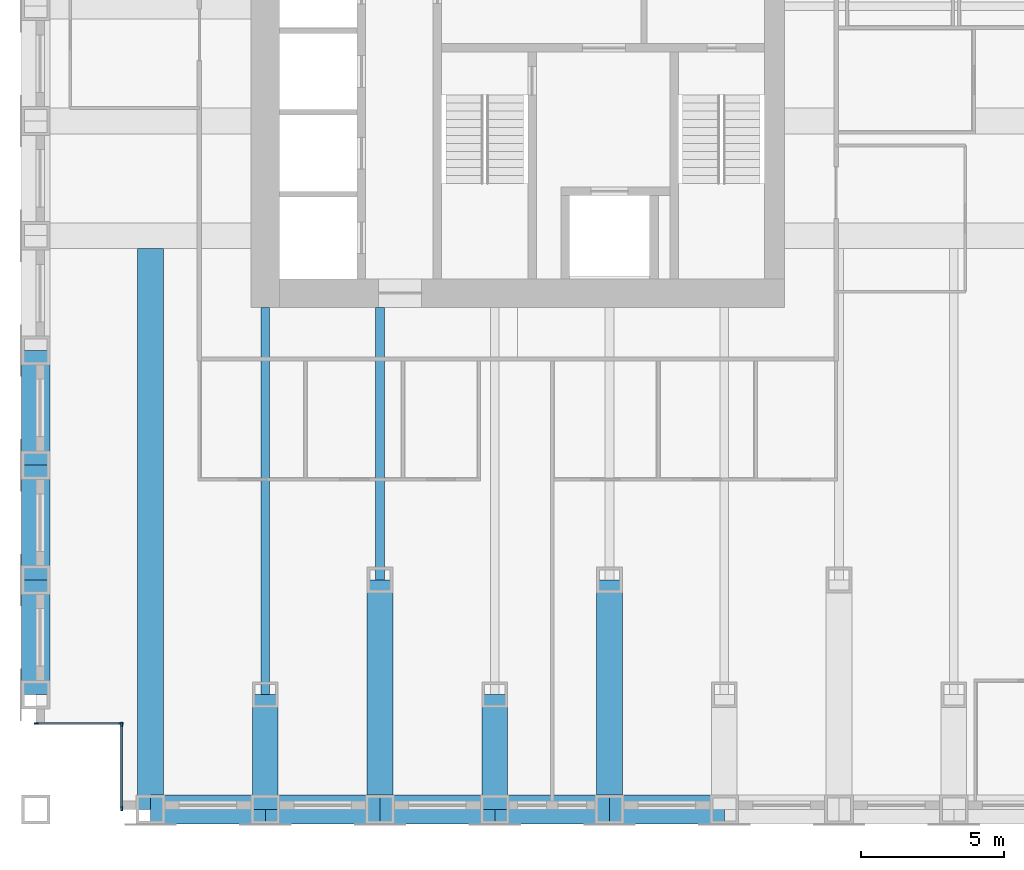
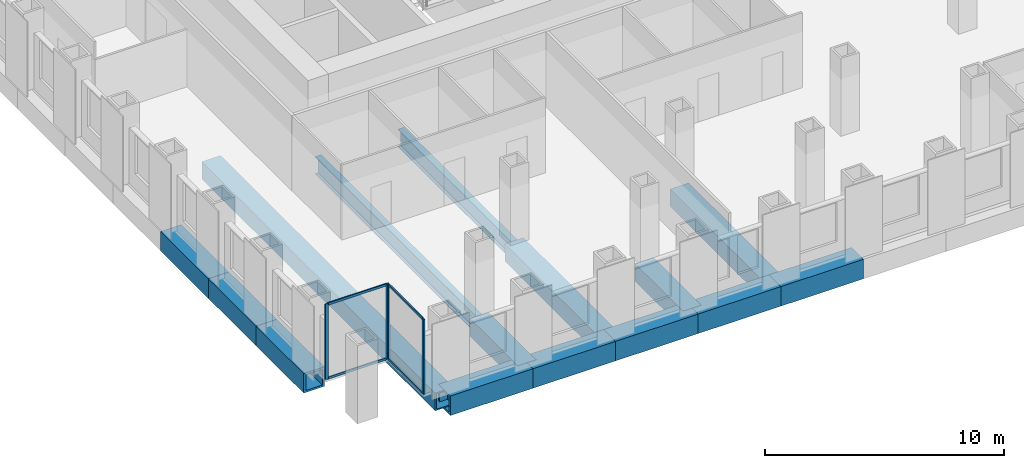
# One storey, part 2 of 16: 15 beams, 8 members, 2 elements without a shape of their own.
"""IFC4 building model written with IfcOpenShell, lengths in metres."""

from ifc_helpers import new_model, si_unit, direction, frame, origin, origin_2d, place, context, subcontext, project, spatial, rectangle, hollow_rectangle, i_section, extrude, material, material_profile, profile_set, type_object, element, aggregate, save


model = new_model("IFC4")

# Units and contexts
model_context = context("Model", 3, precision=1e-05, world=origin(), true_north=direction((0.0, 1.0)))
body_context = subcontext(model_context, "Body", "Model", "MODEL_VIEW")
ifc_project = project(units=[si_unit("LENGTHUNIT", "METRE"), si_unit("AREAUNIT", "SQUARE_METRE"), si_unit("VOLUMEUNIT", "CUBIC_METRE"), si_unit("PLANEANGLEUNIT", "RADIAN"), si_unit("MASSUNIT", "GRAM", prefix="KILO")], contexts=[model_context])

# Site, building, storey
site_placement = place(None, origin())
site = spatial("IfcSite", under=ifc_project, at=site_placement, CompositionType="ELEMENT")
building_placement = place(site_placement, origin())
building = spatial("IfcBuilding", under=site, at=building_placement, Name="Rimbunsela Tower", CompositionType="ELEMENT")
storey_placement = place(building_placement, frame((0.0, 0.0, 93.39990234375)))
storey = spatial("IfcBuildingStorey", under=building, at=storey_placement, Name="L22", CompositionType="ELEMENT", Elevation=93.39990234375)

# Beams
ifc_material_1 = material(Name="Steel BJ 55 (fy 410 MPa)", Category="steel")
ifc_material_profile_1 = material_profile(ifc_material_1, hollow_rectangle(XDim=1.0, YDim=1.0, WallThickness=0.10009765625, at=origin_2d()), Name="BOX 1000x1000x100")
ifc_profile_set_1 = profile_set([ifc_material_profile_1], Name="Steel BJ 55 (fy 410 MPa)")
beam_type_1 = type_object("IfcBeamType", Name="Beam BOX 1000x1000x100", PredefinedType="BEAM", material=ifc_profile_set_1)
for number, where, z_axis, x_axis, name in (
    (1, (10.0, 4.0, -0.64990234375), (0.0, 1.0, 0.0), (-1.0, 0.0, 0.0), "Beam B3 L22"),
    (2, (10.0, 8.0, -0.64990234375), (0.0, 1.0, 0.0), (-1.0, 0.0, 0.0), "Beam B3 L22"),
    (3, (10.0, 12.0, -0.64990234375), (0.0, 1.0, 0.0), (-1.0, 0.0, 0.0), "Beam B3 L22"),
    (4, (14.0, 0.0, -0.64990234375), (1.0, 0.0, 0.0), (0.0, 1.0, 0.0), "Beam B3 L22"),
    (5, (18.0, 0.0, -0.64990234375), (1.0, 0.0, 0.0), (0.0, 1.0, 0.0), "Beam B3 L22"),
    (6, (22.0, 0.0, -0.64990234375), (1.0, 0.0, 0.0), (0.0, 1.0, 0.0), "Beam B3 L22"),
    (7, (26.0, 0.0, -0.64990234375), (1.0, 0.0, 0.0), (0.0, 1.0, 0.0), "Beam B3 L22"),
    (8, (30.0, 0.0, -0.64990234375), (1.0, 0.0, 0.0), (0.0, 1.0, 0.0), "Beam B3 L22"),
):
    element("IfcBeam", number, at=place(storey_placement, frame(where, z_axis=z_axis, x_axis=x_axis)), inside=storey, type_object=beam_type_1, Name=name, PredefinedType="BEAM", context=body_context, shape_type="SweptSolid", body=[
        extrude(hollow_rectangle(XDim=1.0, YDim=1.0, WallThickness=0.10009765625, at=origin_2d()), origin(), (0.0, 0.0, 1.0), 4.0),
    ])
ifc_material_2 = material(Name="Steel BJ 55 (fy 410 MPa)", Category="steel")
ifc_material_profile_2 = material_profile(ifc_material_2, hollow_rectangle(XDim=0.89990234375, YDim=0.89990234375, WallThickness=0.06005859375, at=origin_2d()), Name="BOX 900x900x60")
ifc_profile_set_2 = profile_set([ifc_material_profile_2], Name="Steel BJ 55 (fy 410 MPa)")
beam_type_2 = type_object("IfcBeamType", Name="Beam BOX 900x900x60", PredefinedType="BEAM", material=ifc_profile_set_2)
beam_1_placement = place(storey_placement, frame((14.0, 0.0, -0.599853515625), z_axis=(0.0, 1.0, 0.0), x_axis=(-1.0, 0.0, 0.0)))
element("IfcBeam", 9, at=beam_1_placement, inside=storey, type_object=beam_type_2, Name="Beam B1 L22", PredefinedType="BEAM", context=body_context, shape_type="SweptSolid", body=[
    extrude(hollow_rectangle(XDim=0.89990234375, YDim=0.89990234375, WallThickness=0.06005859375, at=origin_2d()), origin(), (0.0, 0.0, 1.0), 19.550048828125),
])
beam_2_placement = place(storey_placement, frame((18.0, 0.0, -0.599853515625), z_axis=(0.0, 1.0, 0.0), x_axis=(-1.0, 0.0, 0.0)))
element("IfcBeam", 10, at=beam_2_placement, inside=storey, type_object=beam_type_2, Name="Beam B1 L22", PredefinedType="BEAM", context=body_context, shape_type="SweptSolid", body=[
    extrude(hollow_rectangle(XDim=0.89990234375, YDim=0.89990234375, WallThickness=0.06005859375, at=origin_2d()), origin(), (0.0, 0.0, 1.0), 4.0),
])
beam_3_placement = place(storey_placement, frame((22.0, 0.0, -0.599853515625), z_axis=(0.0, 1.0, 0.0), x_axis=(-1.0, 0.0, 0.0)))
element("IfcBeam", 11, at=beam_3_placement, inside=storey, type_object=beam_type_2, Name="Beam B1 L22", PredefinedType="BEAM", context=body_context, shape_type="SweptSolid", body=[
    extrude(hollow_rectangle(XDim=0.89990234375, YDim=0.89990234375, WallThickness=0.06005859375, at=origin_2d()), origin(), (0.0, 0.0, 1.0), 8.0),
])
beam_4_placement = place(storey_placement, frame((26.0, 0.0, -0.599853515625), z_axis=(0.0, 1.0, 0.0), x_axis=(-1.0, 0.0, 0.0)))
element("IfcBeam", 12, at=beam_4_placement, inside=storey, type_object=beam_type_2, Name="Beam B1 L22", PredefinedType="BEAM", context=body_context, shape_type="SweptSolid", body=[
    extrude(hollow_rectangle(XDim=0.89990234375, YDim=0.89990234375, WallThickness=0.06005859375, at=origin_2d()), origin(), (0.0, 0.0, 1.0), 4.0),
])
beam_5_placement = place(storey_placement, frame((30.0, 0.0, -0.599853515625), z_axis=(0.0, 1.0, 0.0), x_axis=(-1.0, 0.0, 0.0)))
element("IfcBeam", 13, at=beam_5_placement, inside=storey, type_object=beam_type_2, Name="Beam B1 L22", PredefinedType="BEAM", context=body_context, shape_type="SweptSolid", body=[
    extrude(hollow_rectangle(XDim=0.89990234375, YDim=0.89990234375, WallThickness=0.06005859375, at=origin_2d()), origin(), (0.0, 0.0, 1.0), 8.0),
])
ifc_material_3 = material(Name="Steel BJ 55 (fy 410 MPa)", Category="steel")
ifc_material_profile_3 = material_profile(ifc_material_3, i_section(OverallWidth=0.300048828125, OverallDepth=0.89990234375, WebThickness=0.01611328125, FlangeThickness=0.028076171875, FilletRadius=0.028076171875, at=origin_2d()), Name="H 900x300x16x28")
ifc_profile_set_3 = profile_set([ifc_material_profile_3], Name="Steel BJ 55 (fy 410 MPa)")
beam_type_3 = type_object("IfcBeamType", Name="Beam H 900x300x16x28", PredefinedType="BEAM", material=ifc_profile_set_3)
beam_6_placement = place(storey_placement, frame((18.0, 4.0, -0.599853515625), z_axis=(0.0, 1.0, 0.0), x_axis=(-1.0, 0.0, 0.0)))
element("IfcBeam", 14, at=beam_6_placement, inside=storey, type_object=beam_type_3, Name="Beam B2 L22", PredefinedType="BEAM", context=body_context, shape_type="SweptSolid", body=[
    extrude(i_section(OverallWidth=0.300048828125, OverallDepth=0.89990234375, WebThickness=0.01611328125, FlangeThickness=0.028076171875, FilletRadius=0.028076171875, at=origin_2d()), origin(), (0.0, 0.0, 1.0), 13.5),
])
beam_7_placement = place(storey_placement, frame((22.0, 8.0, -0.599853515625), z_axis=(0.0, 1.0, 0.0), x_axis=(-1.0, 0.0, 0.0)))
element("IfcBeam", 15, at=beam_7_placement, inside=storey, type_object=beam_type_3, Name="Beam B2 L22", PredefinedType="BEAM", context=body_context, shape_type="SweptSolid", body=[
    extrude(i_section(OverallWidth=0.300048828125, OverallDepth=0.89990234375, WebThickness=0.01611328125, FlangeThickness=0.028076171875, FilletRadius=0.028076171875, at=origin_2d()), origin(), (0.0, 0.0, 1.0), 9.5),
])

# Curtain wall, members
ifc_material_4 = material(Name="Aluminium curtain wall", Category="aluminium")
curtain_wall_type = type_object("IfcCurtainWallType", Name="Corner glazing", PredefinedType="USERDEFINED", material=ifc_material_4)
curtain_wall_1_placement = place(storey_placement, origin())
curtain_wall_1 = element("IfcCurtainWall", 16, at=curtain_wall_1_placement, inside=storey, type_object=curtain_wall_type, Name="Corner glazing L22", ObjectType="CORNER GLAZING", PredefinedType="USERDEFINED")
ifc_material_5 = material(Name="Aluminium mullion", Category="aluminium")
ifc_material_profile_4 = material_profile(ifc_material_5, rectangle(XDim=0.06005859375, YDim=0.159912109375, at=origin_2d()), Name="Mullion 60x160")
ifc_profile_set_4 = profile_set([ifc_material_profile_4], Name="Aluminium mullion")
member_type_1 = type_object("IfcMemberType", Name="Curtain wall mullion 60x160", PredefinedType="MULLION", material=ifc_profile_set_4)
member_1_placement = place(storey_placement, frame((10.030029296875, 3.0, 0.0), z_axis=(0.0, 0.0, 1.0), x_axis=(0.0, 1.0, 0.0)))
member_1 = element("IfcMember", 17, at=member_1_placement, type_object=member_type_1, Name="CW5 mullion 1", PredefinedType="MULLION", context=body_context, shape_type="SweptSolid", body=[
    extrude(rectangle(XDim=0.06005859375, YDim=0.159912109375, at=origin_2d()), origin(), (0.0, 0.0, 1.0), 3.85009765625),
])
member_2_placement = place(storey_placement, frame((12.969970703125, 3.0, 0.0), z_axis=(0.0, 0.0, 1.0), x_axis=(0.0, 1.0, 0.0)))
member_2 = element("IfcMember", 18, at=member_2_placement, type_object=member_type_1, Name="CW5 mullion 2", PredefinedType="MULLION", context=body_context, shape_type="SweptSolid", body=[
    extrude(rectangle(XDim=0.06005859375, YDim=0.159912109375, at=origin_2d()), origin(), (0.0, 0.0, 1.0), 3.85009765625),
])

curtain_wall_2_placement = place(storey_placement, origin())
curtain_wall_2 = element("IfcCurtainWall", 19, at=curtain_wall_2_placement, inside=storey, type_object=curtain_wall_type, Name="Corner glazing L22", ObjectType="CORNER GLAZING", PredefinedType="USERDEFINED")
member_3_placement = place(storey_placement, frame((13.0, 2.969970703125, 0.0), z_axis=(0.0, 0.0, 1.0), x_axis=(1.0, 0.0, 0.0)))
member_3 = element("IfcMember", 20, at=member_3_placement, type_object=member_type_1, Name="CW5 mullion 1", PredefinedType="MULLION", context=body_context, shape_type="SweptSolid", body=[
    extrude(rectangle(XDim=0.06005859375, YDim=0.159912109375, at=origin_2d()), origin(), (0.0, 0.0, 1.0), 3.85009765625),
])
member_4_placement = place(storey_placement, frame((13.0, 0.030029296875, 0.0), z_axis=(0.0, 0.0, 1.0), x_axis=(1.0, 0.0, 0.0)))
member_4 = element("IfcMember", 21, at=member_4_placement, type_object=member_type_1, Name="CW5 mullion 2", PredefinedType="MULLION", context=body_context, shape_type="SweptSolid", body=[
    extrude(rectangle(XDim=0.06005859375, YDim=0.159912109375, at=origin_2d()), origin(), (0.0, 0.0, 1.0), 3.85009765625),
])

# Member
ifc_material_6 = material(Name="Aluminium transom", Category="aluminium")
ifc_material_profile_5 = material_profile(ifc_material_6, rectangle(XDim=0.06005859375, YDim=0.1201171875, at=origin_2d()), Name="Transom 60x120")
ifc_profile_set_5 = profile_set([ifc_material_profile_5], Name="Aluminium transom")
member_type_2 = type_object("IfcMemberType", Name="Curtain wall transom 60x120", PredefinedType="USERDEFINED", material=ifc_profile_set_5)
member_5_placement = place(storey_placement, frame((10.06005859375, 3.0, 0.030029296875), z_axis=(1.0, 0.0, 0.0), x_axis=(0.0, 1.0, 0.0)))
member_5 = element("IfcMember", 22, at=member_5_placement, type_object=member_type_2, Name="CW5 transom 1.1", ObjectType="TRANSOM", PredefinedType="USERDEFINED", context=body_context, shape_type="SweptSolid", body=[
    extrude(rectangle(XDim=0.06005859375, YDim=0.1201171875, at=origin_2d()), origin(), (0.0, 0.0, 1.0), 2.8798828125),
])

member_6_placement = place(storey_placement, frame((10.06005859375, 3.0, 3.820068359375), z_axis=(1.0, 0.0, 0.0), x_axis=(0.0, 1.0, 0.0)))
member_6 = element("IfcMember", 23, at=member_6_placement, type_object=member_type_2, Name="CW5 transom 1.2", ObjectType="TRANSOM", PredefinedType="USERDEFINED", context=body_context, shape_type="SweptSolid", body=[
    extrude(rectangle(XDim=0.06005859375, YDim=0.1201171875, at=origin_2d()), origin(), (0.0, 0.0, 1.0), 2.8798828125),
])

aggregate(curtain_wall_1, [member_1, member_2, member_5, member_6])

member_7_placement = place(storey_placement, frame((13.0, 2.93994140625, 0.030029296875), z_axis=(0.0, -1.0, 0.0), x_axis=(1.0, 0.0, 0.0)))
member_7 = element("IfcMember", 24, at=member_7_placement, type_object=member_type_2, Name="CW5 transom 1.1", ObjectType="TRANSOM", PredefinedType="USERDEFINED", context=body_context, shape_type="SweptSolid", body=[
    extrude(rectangle(XDim=0.06005859375, YDim=0.1201171875, at=origin_2d()), origin(), (0.0, 0.0, 1.0), 2.8798828125),
])

member_8_placement = place(storey_placement, frame((13.0, 2.93994140625, 3.820068359375), z_axis=(0.0, -1.0, 0.0), x_axis=(1.0, 0.0, 0.0)))
member_8 = element("IfcMember", 25, at=member_8_placement, type_object=member_type_2, Name="CW5 transom 1.2", ObjectType="TRANSOM", PredefinedType="USERDEFINED", context=body_context, shape_type="SweptSolid", body=[
    extrude(rectangle(XDim=0.06005859375, YDim=0.1201171875, at=origin_2d()), origin(), (0.0, 0.0, 1.0), 2.8798828125),
])

aggregate(curtain_wall_2, [member_3, member_4, member_7, member_8])

save(model, "model.ifc")
